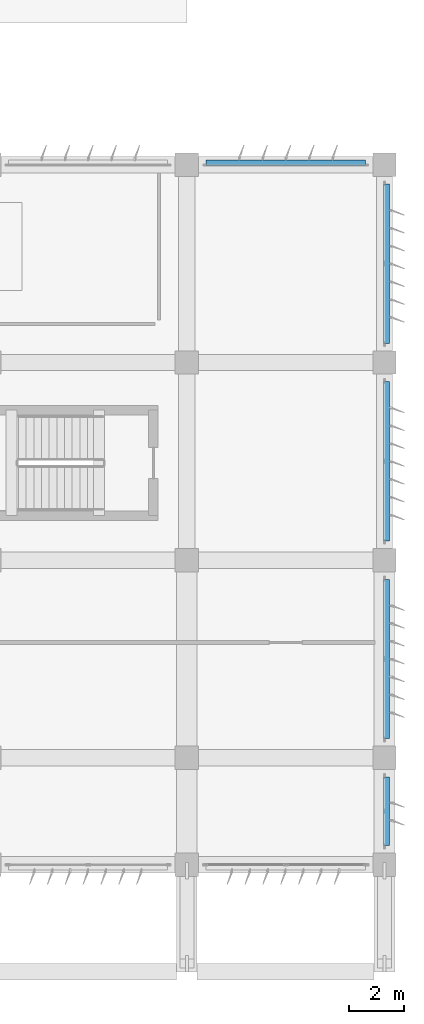
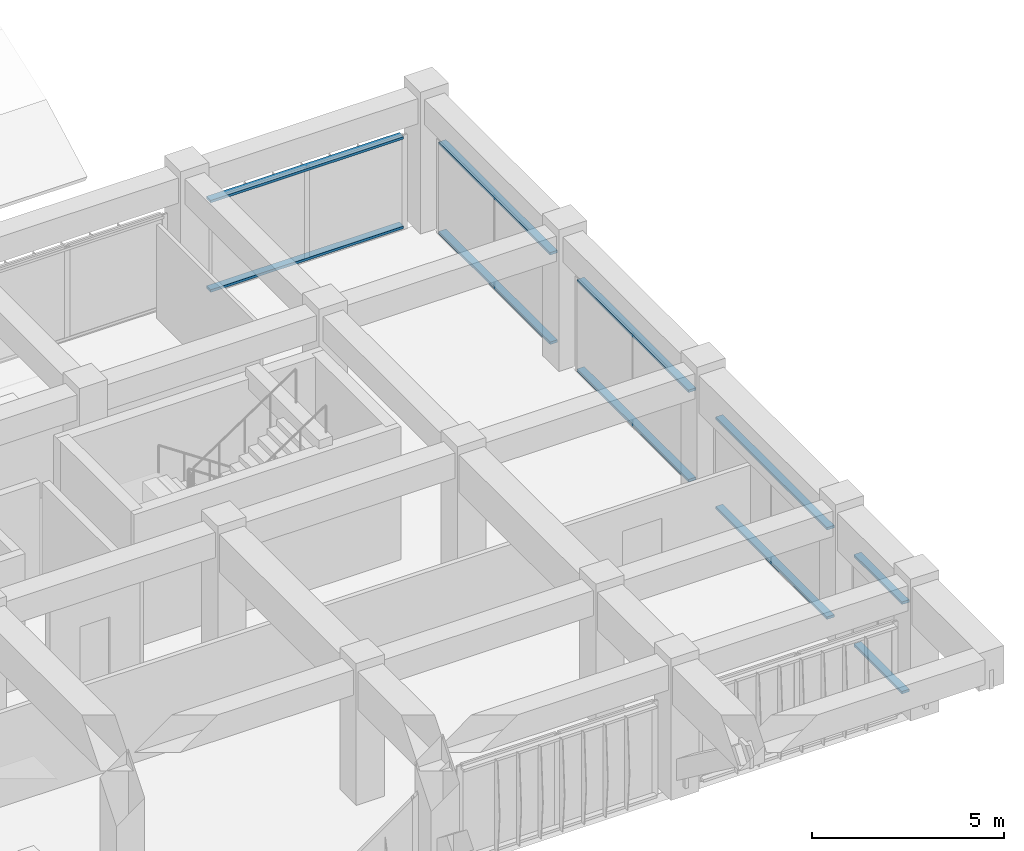
# One storey, part 46 of 56: 10 discrete accessories.
"""IFC4 building model written with IfcOpenShell, lengths in metres."""

from ifc_helpers import new_model, si_unit, direction, frame, origin, origin_2d, place, context, subcontext, project, spatial, rectangle, extrude, material, type_object, element, save


model = new_model("IFC4")

# Units and contexts
model_context = context("Model", 3, precision=1e-05, world=origin(), true_north=direction((0.0, 1.0)))
body_context = subcontext(model_context, "Body", "Model", "MODEL_VIEW")
ifc_project = project(units=[si_unit("LENGTHUNIT", "METRE"), si_unit("AREAUNIT", "SQUARE_METRE"), si_unit("VOLUMEUNIT", "CUBIC_METRE"), si_unit("PLANEANGLEUNIT", "RADIAN"), si_unit("MASSUNIT", "GRAM", prefix="KILO")], contexts=[model_context])

# Site, building, storey
site_placement = place(None, origin())
site = spatial("IfcSite", under=ifc_project, at=site_placement, CompositionType="ELEMENT")
building_placement = place(site_placement, origin())
building = spatial("IfcBuilding", under=site, at=building_placement, Name="Kazehaya Institute of Natural Sciences", CompositionType="ELEMENT")
storey_placement = place(building_placement, frame((0.0, 0.0, 24.300048828125)))
storey = spatial("IfcBuildingStorey", under=building, at=storey_placement, Name="L05", CompositionType="ELEMENT", Elevation=24.300048828125)

# Discrete accessories
ifc_material = material(Name="Aluminium alloy A6063S-T5", Category="aluminium")
discrete_accessory_type = type_object("IfcDiscreteAccessoryType", Name="ACC-BRK-01", PredefinedType="BRACKET", material=ifc_material)
for number, where, z_axis, x_axis, name in (
    (1, (115.800048828125, 35.675048828125, 0.039794921875), (0.0, 0.0, 1.0), (1.0, 0.0, 0.0), "L05 fin support outrigger rail 1"),
    (2, (115.800048828125, 35.675048828125, 2.8798828125), (0.0, 0.0, 1.0), (1.0, 0.0, 0.0), "L05 fin support outrigger rail 2"),
):
    element("IfcDiscreteAccessory", number, at=place(storey_placement, frame(where, z_axis=z_axis, x_axis=x_axis)), inside=storey, type_object=discrete_accessory_type, Name=name, PredefinedType="BRACKET", context=body_context, shape_type="SweptSolid", body=[
        extrude(rectangle(XDim=5.800048828125, YDim=0.219970703125, at=origin_2d()), origin(), (0.0, 0.0, 1.0), 0.080078125),
    ])
for number, where, z_axis, x_axis, name in (
    (3, (119.47509765625, 12.050048828125, 0.039794921875), (0.0, 0.0, 1.0), (0.0, -1.0, 0.0), "L05 fin support outrigger rail 1"),
    (4, (119.47509765625, 12.050048828125, 2.8798828125), (0.0, 0.0, 1.0), (0.0, -1.0, 0.0), "L05 fin support outrigger rail 2"),
):
    element("IfcDiscreteAccessory", number, at=place(storey_placement, frame(where, z_axis=z_axis, x_axis=x_axis)), inside=storey, type_object=discrete_accessory_type, Name=name, PredefinedType="BRACKET", context=body_context, shape_type="SweptSolid", body=[
        extrude(rectangle(XDim=2.5, YDim=0.219970703125, at=origin_2d()), origin(), (0.0, 0.0, 1.0), 0.080078125),
    ])
for number, where, z_axis, x_axis, name in (
    (5, (119.47509765625, 17.60009765625, 0.039794921875), (0.0, 0.0, 1.0), (0.0, -1.0, 0.0), "L05 fin support outrigger rail 1"),
    (6, (119.47509765625, 17.60009765625, 2.8798828125), (0.0, 0.0, 1.0), (0.0, -1.0, 0.0), "L05 fin support outrigger rail 2"),
    (7, (119.47509765625, 24.800048828125, 0.039794921875), (0.0, 0.0, 1.0), (0.0, -1.0, 0.0), "L05 fin support outrigger rail 1"),
    (8, (119.47509765625, 24.800048828125, 2.8798828125), (0.0, 0.0, 1.0), (0.0, -1.0, 0.0), "L05 fin support outrigger rail 2"),
    (9, (119.47509765625, 32.0, 0.039794921875), (0.0, 0.0, 1.0), (0.0, -1.0, 0.0), "L05 fin support outrigger rail 1"),
    (10, (119.47509765625, 32.0, 2.8798828125), (0.0, 0.0, 1.0), (0.0, -1.0, 0.0), "L05 fin support outrigger rail 2"),
):
    element("IfcDiscreteAccessory", number, at=place(storey_placement, frame(where, z_axis=z_axis, x_axis=x_axis)), inside=storey, type_object=discrete_accessory_type, Name=name, PredefinedType="BRACKET", context=body_context, shape_type="SweptSolid", body=[
        extrude(rectangle(XDim=5.800048828125, YDim=0.219970703125, at=origin_2d()), origin(), (0.0, 0.0, 1.0), 0.080078125),
    ])

save(model, "model.ifc")
